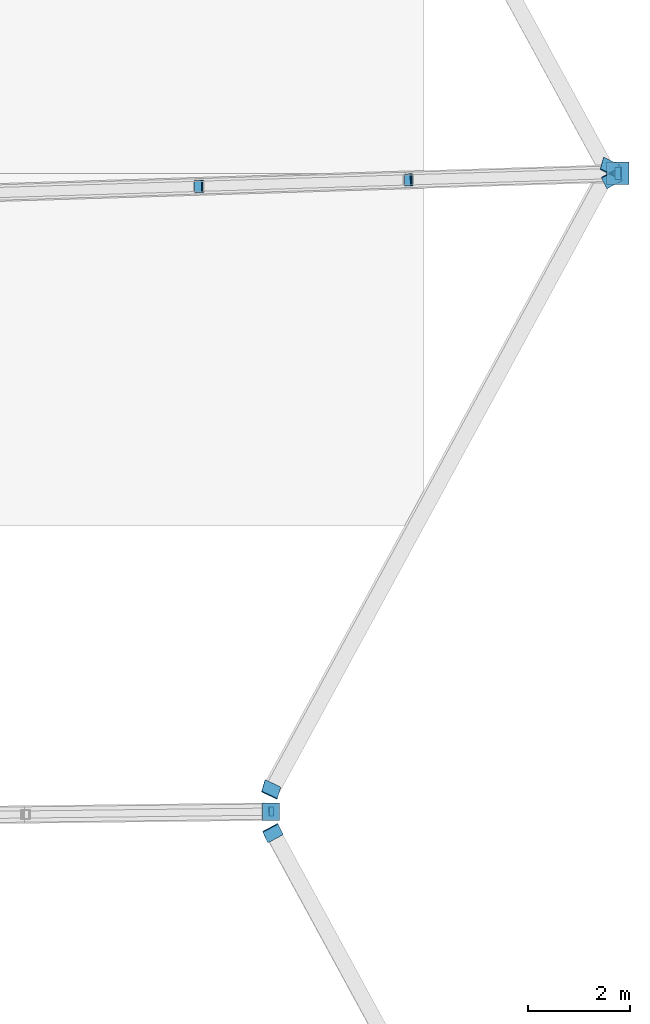
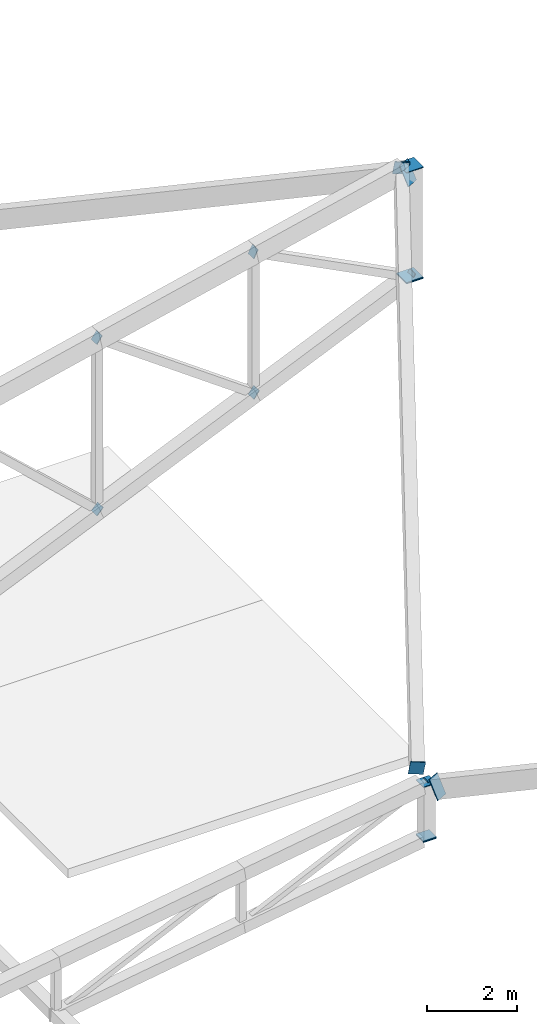
# One storey, part 156 of 188: 16 discrete accessories.
"""IFC4 building model written with IfcOpenShell, lengths in metres."""

from ifc_helpers import new_model, si_unit, direction, frame, origin, origin_2d, place, context, subcontext, project, spatial, rectangle, extrude, material, material_profile, profile_set, type_object, element, save


model = new_model("IFC4")

# Units and contexts
model_context = context("Model", 3, precision=1e-05, world=origin(), true_north=direction((0.0, 1.0)))
body_context = subcontext(model_context, "Body", "Model", "MODEL_VIEW")
ifc_project = project(units=[si_unit("LENGTHUNIT", "METRE"), si_unit("AREAUNIT", "SQUARE_METRE"), si_unit("VOLUMEUNIT", "CUBIC_METRE"), si_unit("PLANEANGLEUNIT", "RADIAN"), si_unit("MASSUNIT", "GRAM", prefix="KILO")], contexts=[model_context])

# Site, building, storey
site_placement = place(None, origin())
site = spatial("IfcSite", under=ifc_project, at=site_placement, CompositionType="ELEMENT")
building_placement = place(site_placement, origin())
building = spatial("IfcBuilding", under=site, at=building_placement, Name="Meseta Stadium", CompositionType="ELEMENT")
storey_placement = place(building_placement, frame((0.0, 0.0, 30.0)))
storey = spatial("IfcBuildingStorey", under=building, at=storey_placement, Name="ROOF", CompositionType="ELEMENT", Elevation=30.0)

# Discrete accessories
ifc_material_1 = material(Name="Steel S355", Category="steel")
ifc_material_profile_1 = material_profile(ifc_material_1, rectangle(XDim=0.179931640625, YDim=0.179931640625, at=origin_2d()), Name="PL 180x180")
ifc_profile_set_1 = profile_set([ifc_material_profile_1], Name="Steel S355")
discrete_accessory_type_1 = type_object("IfcDiscreteAccessoryType", Name="End plate 180x180x20", PredefinedType="ANCHORPLATE", material=ifc_profile_set_1)
discrete_accessory_1_placement = place(storey_placement, frame((94.60009765625, 6.25, 3.67138671875), z_axis=(0.90860834471, 0.012278491145, 0.417468698921), x_axis=(-0.013512279797, 0.99990870498, 0.0)))
element("IfcDiscreteAccessory", 1, at=discrete_accessory_1_placement, inside=storey, type_object=discrete_accessory_type_1, Name="End plate of ROOF TRUSS RT-05 diagonal", PredefinedType="ANCHORPLATE", context=body_context, shape_type="SweptSolid", body=[
    extrude(rectangle(XDim=0.179931640625, YDim=0.179931640625, at=origin_2d()), origin(), (0.0, 0.0, 1.0), 0.019775390625),
])
ifc_material_2 = material(Name="Steel S355", Category="steel")
ifc_material_profile_2 = material_profile(ifc_material_2, rectangle(XDim=0.239990234375, YDim=0.239990234375, at=origin_2d()), Name="PL 240x240")
ifc_profile_set_2 = profile_set([ifc_material_profile_2], Name="Steel S355")
discrete_accessory_type_2 = type_object("IfcDiscreteAccessoryType", Name="End plate 240x240x20", PredefinedType="ANCHORPLATE", material=ifc_profile_set_2)
for number, where, z_axis, x_axis, name in (
    (2, (93.189208984375, 18.496826171875, 4.176025390625), (0.730838305701, 0.024361276857, -0.682115751988), (-0.033314830233, 0.999444906979, 0.0), "End plate of ROOF TRUSS RT-06 diagonal"),
    (3, (93.173095703125, 18.496337890625, 8.8544921875), (0.808493329958, 0.024499797878, -0.58799514906), (-0.030289126641, 0.999541179145, 0.0), "End plate of ROOF TRUSS RT-06 diagonal"),
    (4, (97.294677734375, 18.623291015625, 5.838623046875), (0.808493329958, 0.024499797878, -0.58799514906), (-0.030289126641, 0.999541179145, 0.0), "End plate of ROOF TRUSS RT-06 diagonal"),
    (5, (97.277099609375, 18.622802734375, 9.681396484375), (0.879029804347, 0.024417494565, -0.476141144021), (-0.02776706724, 0.999614420653, 0.0), "End plate of ROOF TRUSS RT-06 diagonal"),
    (6, (101.39990234375, 18.75, 7.501220703125), (0.886755962446, 0.024294683903, -0.46159899415), (-0.027386983732, 0.999624906213, 0.0), "End plate of ROOF TRUSS RT-06 diagonal"),
):
    element("IfcDiscreteAccessory", number, at=place(storey_placement, frame(where, z_axis=z_axis, x_axis=x_axis)), inside=storey, type_object=discrete_accessory_type_2, Name=name, PredefinedType="ANCHORPLATE", context=body_context, shape_type="SweptSolid", body=[
        extrude(rectangle(XDim=0.239990234375, YDim=0.239990234375, at=origin_2d()), origin(), (0.0, 0.0, 1.0), 0.02001953125),
    ])
ifc_material_3 = material(Name="Steel S355", Category="steel")
ifc_material_profile_3 = material_profile(ifc_material_3, rectangle(XDim=0.340087890625, YDim=0.340087890625, at=origin_2d()), Name="PL 340x340")
ifc_profile_set_3 = profile_set([ifc_material_profile_3], Name="Steel S355")
discrete_accessory_type_3 = type_object("IfcDiscreteAccessoryType", Name="End plate 340x340x20", PredefinedType="ANCHORPLATE", material=ifc_profile_set_3)
discrete_accessory_2_placement = place(storey_placement, frame((94.60009765625, 6.25, 2.174072265625), z_axis=(0.0, 0.0, 1.0), x_axis=(1.0, 0.0, 0.0)))
element("IfcDiscreteAccessory", 7, at=discrete_accessory_2_placement, inside=storey, type_object=discrete_accessory_type_3, Name="End plate of ROOF TRUSS RT-05 post", PredefinedType="ANCHORPLATE", context=body_context, shape_type="SweptSolid", body=[
    extrude(rectangle(XDim=0.340087890625, YDim=0.340087890625, at=origin_2d()), origin(), (0.0, 0.0, 1.0), 0.019775390625),
])
for number, where, z_axis, x_axis, name in (
    (8, (94.60009765625, 6.25, 3.67138671875), (0.0, 0.0, 1.0), (1.0, 0.0, 0.0), "End plate of ROOF TRUSS RT-05 post"),
    (9, (94.60009765625, 6.25, 2.19384765625), (0.0, 0.0, 1.0), (1.0, 0.0, 0.0), "End plate of ROOF RIM POST RT-05"),
):
    element("IfcDiscreteAccessory", number, at=place(storey_placement, frame(where, z_axis=z_axis, x_axis=x_axis)), inside=storey, type_object=discrete_accessory_type_3, Name=name, PredefinedType="ANCHORPLATE", context=body_context, shape_type="SweptSolid", body=[
        extrude(rectangle(XDim=0.340087890625, YDim=0.340087890625, at=origin_2d()), origin(), (0.0, 0.0, 1.0), 0.02001953125),
    ])
ifc_material_4 = material(Name="Steel S355", Category="steel")
ifc_material_profile_4 = material_profile(ifc_material_4, rectangle(XDim=0.340087890625, YDim=0.5400390625, at=origin_2d()), Name="PL 340x540")
ifc_profile_set_4 = profile_set([ifc_material_profile_4], Name="Steel S355")
discrete_accessory_type_4 = type_object("IfcDiscreteAccessoryType", Name="End plate 340x540x20", PredefinedType="ANCHORPLATE", material=ifc_profile_set_4)
for number, where, z_axis, x_axis, name in (
    (10, (94.64697265625, 5.822509765625, 3.78466796875), (-0.438307934267, 0.79138932576, -0.426132713871), (-0.879481721909, -0.475439993841, 0.021649782544), "End plate of RIM RING BEAM 05"),
    (11, (94.60400390625, 6.67431640625, 3.787109375), (0.428393042953, 0.795587079771, 0.428393042953), (-0.895266788403, 0.437922831479, 0.081981529942), "End plate of RIM RING BEAM 06"),
    (12, (101.23583984375, 18.865234375, 10.4189453125), (0.428393042953, 0.795587079771, 0.428393042953), (-0.895266788403, 0.437922831479, 0.081981529942), "End plate of RIM RING BEAM 06"),
):
    element("IfcDiscreteAccessory", number, at=place(storey_placement, frame(where, z_axis=z_axis, x_axis=x_axis)), inside=storey, type_object=discrete_accessory_type_4, Name=name, PredefinedType="ANCHORPLATE", context=body_context, shape_type="SweptSolid", body=[
        extrude(rectangle(XDim=0.340087890625, YDim=0.5400390625, at=origin_2d()), origin(), (0.0, 0.0, 1.0), 0.02001953125),
    ])
discrete_accessory_3_placement = place(storey_placement, frame((101.283935546875, 18.6337890625, 10.4150390625), z_axis=(-0.432593554058, 0.791028213135, -0.432593554058), x_axis=(-0.880104972673, -0.474621723421, 0.012225249845)))
element("IfcDiscreteAccessory", 13, at=discrete_accessory_3_placement, inside=storey, type_object=discrete_accessory_type_4, Name="End plate of RIM RING BEAM 07", PredefinedType="ANCHORPLATE", context=body_context, shape_type="SweptSolid", body=[
    extrude(rectangle(XDim=0.340087890625, YDim=0.5400390625, at=origin_2d()), origin(), (0.0, 0.0, 1.0), 0.019775390625),
])
ifc_material_5 = material(Name="Steel S355", Category="steel")
ifc_material_profile_5 = material_profile(ifc_material_5, rectangle(XDim=0.43994140625, YDim=0.43994140625, at=origin_2d()), Name="PL 440x440")
ifc_profile_set_5 = profile_set([ifc_material_profile_5], Name="Steel S355")
discrete_accessory_type_5 = type_object("IfcDiscreteAccessoryType", Name="End plate 440x440x20", PredefinedType="ANCHORPLATE", material=ifc_profile_set_5)
for number, where, z_axis, x_axis, name in (
    (14, (101.39990234375, 18.75, 7.481201171875), (0.0, 0.0, 1.0), (1.0, 0.0, 0.0), "End plate of ROOF TRUSS RT-06 post"),
    (15, (101.39990234375, 18.75, 10.501220703125), (0.0, 0.0, 1.0), (1.0, 0.0, 0.0), "End plate of ROOF TRUSS RT-06 post"),
    (16, (101.39990234375, 18.75, 7.501220703125), (0.0, 0.0, 1.0), (1.0, 0.0, 0.0), "End plate of ROOF RIM POST RT-06"),
):
    element("IfcDiscreteAccessory", number, at=place(storey_placement, frame(where, z_axis=z_axis, x_axis=x_axis)), inside=storey, type_object=discrete_accessory_type_5, Name=name, PredefinedType="ANCHORPLATE", context=body_context, shape_type="SweptSolid", body=[
        extrude(rectangle(XDim=0.43994140625, YDim=0.43994140625, at=origin_2d()), origin(), (0.0, 0.0, 1.0), 0.02001953125),
    ])

save(model, "model.ifc")
